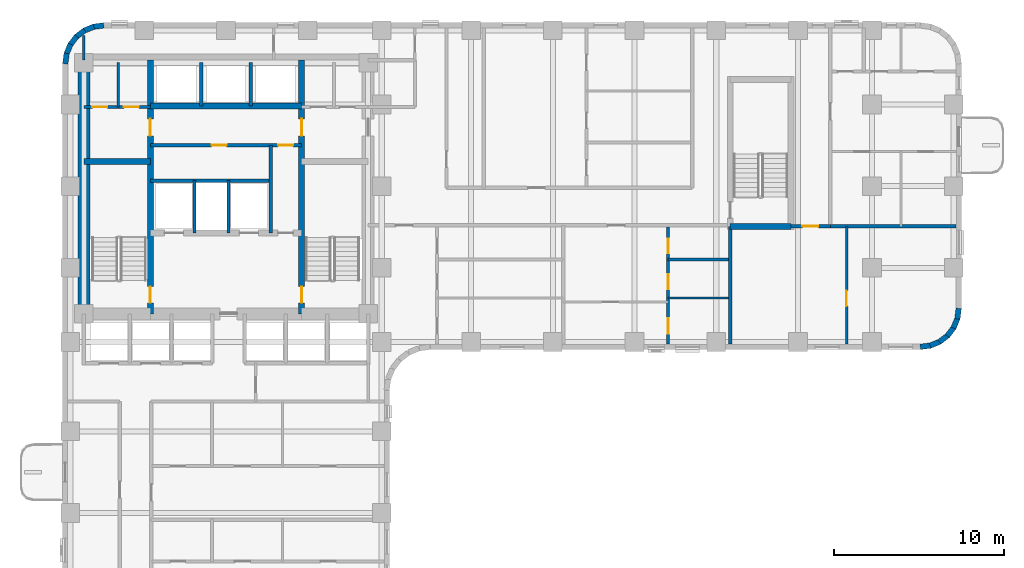
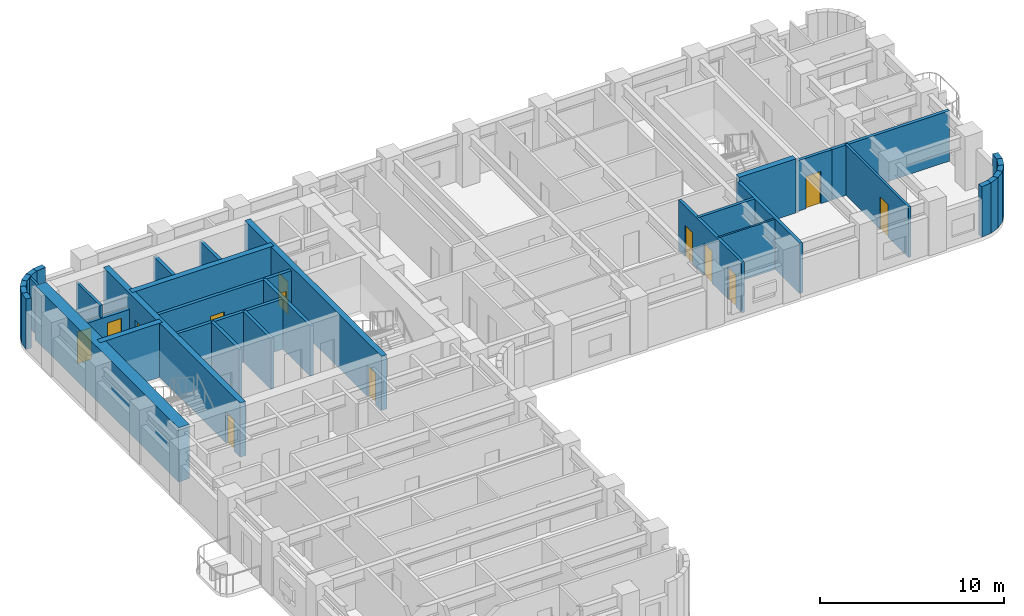
# One storey, part 5 of 10: 35 walls, 13 doors, 13 openings.
"""IFC4 building model written with IfcOpenShell, lengths in metres."""

from ifc_helpers import new_model, si_unit, direction, frame, frame_2d, origin, place, context, subcontext, project, spatial, rectangle, extrude, material, layer, layer_set, type_object, element, fill, save


model = new_model("IFC4")

# Units and contexts
model_context = context("Model", 3, precision=1e-05, world=origin(), true_north=direction((0.0, 1.0)))
body_context = subcontext(model_context, "Body", "Model", "MODEL_VIEW")
ifc_project = project(units=[si_unit("LENGTHUNIT", "METRE"), si_unit("AREAUNIT", "SQUARE_METRE"), si_unit("VOLUMEUNIT", "CUBIC_METRE"), si_unit("PLANEANGLEUNIT", "RADIAN"), si_unit("MASSUNIT", "GRAM", prefix="KILO")], contexts=[model_context])

# Site, building, storey
site_placement = place(None, origin())
site = spatial("IfcSite", under=ifc_project, at=site_placement, CompositionType="ELEMENT")
building_placement = place(site_placement, origin())
building = spatial("IfcBuilding", under=site, at=building_placement, Name="Orvandelia Arch Residences", CompositionType="ELEMENT")
storey_placement = place(building_placement, frame((0.0, 0.0, 75.39990234375)))
storey = spatial("IfcBuildingStorey", under=building, at=storey_placement, Name="L19", CompositionType="ELEMENT", Elevation=75.39990234375)

# Wall, openings, doors
ifc_material_1 = material(Name="Concrete C50/60", Category="concrete")
ifc_layer_1 = layer(ifc_material_1, 0.35009765625, Name="Concrete C50/60", Category="concrete")
ifc_layer_set_1 = layer_set([ifc_layer_1], Name="Concrete C50/60")
wall_type_1 = type_object("IfcWallType", Name="WL-CORE-350", PredefinedType="SHEAR", material=ifc_layer_set_1)
wall_1_placement = place(storey_placement, frame((9.9599609375, 30.89990234375, 0.0), z_axis=(0.0, 0.0, 1.0), x_axis=(0.0, 1.0, 0.0)))
wall_1 = element("IfcWall", 1, at=wall_1_placement, inside=storey, type_object=wall_type_1, Name="Core Shear Wall L19-WEB1", PredefinedType="SHEAR", context=body_context, shape_type="SweptSolid", body=[
    extrude(rectangle(XDim=14.900146484375, YDim=0.35009765625, at=frame_2d((7.4501953125, 0.0))), origin(), (0.0, 0.0, 1.0), 3.60009765625),
])
opening_1_placement = place(wall_1_placement, frame((0.64990234375, 0.0, 0.0)))
opening_1 = element("IfcOpeningElement", 2, at=opening_1_placement, cuts=wall_1, Name="Opening D7", PredefinedType="OPENING", context=body_context, shape_type="SweptSolid", body=[
    extrude(rectangle(XDim=0.949951171875, YDim=2.10009765625, at=frame_2d((0.47509765625, 1.050048828125))), frame((0.0, 0.18505859375, 0.0), z_axis=(0.0, -1.0, 0.0), x_axis=(1.0, 0.0, 0.0)), (0.0, 0.0, 1.0), 0.3701171875),
])
opening_2_placement = place(wall_1_placement, frame((10.449951171875, 0.0, 0.0)))
opening_2 = element("IfcOpeningElement", 3, at=opening_2_placement, cuts=wall_1, Name="Opening D6", PredefinedType="OPENING", context=body_context, shape_type="SweptSolid", body=[
    extrude(rectangle(XDim=1.0, YDim=2.14990234375, at=frame_2d((0.5, 1.074951171875))), frame((0.0, 0.18505859375, 0.0), z_axis=(0.0, -1.0, 0.0), x_axis=(1.0, 0.0, 0.0)), (0.0, 0.0, 1.0), 0.3701171875),
])
ifc_material_2 = material(Name="Smokeproof Painted Steel Fire Door", Category="steel")
door_type_1 = type_object("IfcDoorType", Name="DR-FD60-1000", OperationType="NOTDEFINED", PredefinedType="DOOR", material=ifc_material_2)
door_1_placement = place(opening_2_placement, origin())
door_1 = element("IfcDoor", 4, at=door_1_placement, inside=storey, type_object=door_type_1, Name="High-Rise Lift Hall West Vestibule Door L19", OperationType="SINGLE_SWING_LEFT", OverallHeight=2.14990234375, OverallWidth=1.0, PredefinedType="DOOR", context=body_context, shape_type="SweptSolid", body=[
    extrude(rectangle(XDim=1.0, YDim=2.14990234375, at=frame_2d((0.5, 1.074951171875))), frame((0.0, 0.02490234375, 0.0), z_axis=(0.0, -1.0, 0.0), x_axis=(1.0, 0.0, 0.0)), (0.0, 0.0, 1.0), 0.050048828125),
])
fill(opening_2, door_1)
ifc_material_3 = material(Name="Pressurised Stairwell Fire Door")
door_type_2 = type_object("IfcDoorType", Name="DR-STAIR-950", OperationType="NOTDEFINED", PredefinedType="DOOR", material=ifc_material_3)
door_2_placement = place(opening_1_placement, origin())
door_2 = element("IfcDoor", 5, at=door_2_placement, inside=storey, type_object=door_type_2, Name="Stairwell ST-1 Fire Door L19", OperationType="SINGLE_SWING_LEFT", OverallHeight=2.10009765625, OverallWidth=0.949951171875, PredefinedType="DOOR", context=body_context, shape_type="SweptSolid", body=[
    extrude(rectangle(XDim=0.949951171875, YDim=2.10009765625, at=frame_2d((0.47509765625, 1.050048828125))), frame((0.0, 0.02490234375, 0.0), z_axis=(0.0, -1.0, 0.0), x_axis=(1.0, 0.0, 0.0)), (0.0, 0.0, 1.0), 0.050048828125),
])
fill(opening_1, door_2)

wall_2_placement = place(storey_placement, frame((18.840087890625, 30.89990234375, 0.0), z_axis=(0.0, 0.0, 1.0), x_axis=(0.0, 1.0, 0.0)))
wall_2 = element("IfcWall", 6, at=wall_2_placement, inside=storey, type_object=wall_type_1, Name="Core Shear Wall L19-WEB2", PredefinedType="SHEAR", context=body_context, shape_type="SweptSolid", body=[
    extrude(rectangle(XDim=14.900146484375, YDim=0.35009765625, at=frame_2d((7.4501953125, 0.0))), origin(), (0.0, 0.0, 1.0), 3.60009765625),
])
opening_3_placement = place(wall_2_placement, frame((0.64990234375, 0.0, 0.0)))
opening_3 = element("IfcOpeningElement", 7, at=opening_3_placement, cuts=wall_2, Name="Opening D7", PredefinedType="OPENING", context=body_context, shape_type="SweptSolid", body=[
    extrude(rectangle(XDim=0.949951171875, YDim=2.10009765625, at=frame_2d((0.47509765625, 1.050048828125))), frame((0.0, 0.18505859375, 0.0), z_axis=(0.0, -1.0, 0.0), x_axis=(1.0, 0.0, 0.0)), (0.0, 0.0, 1.0), 0.3701171875),
])
opening_4_placement = place(wall_2_placement, frame((10.449951171875, 0.0, 0.0)))
opening_4 = element("IfcOpeningElement", 8, at=opening_4_placement, cuts=wall_2, Name="Opening D6", PredefinedType="OPENING", context=body_context, shape_type="SweptSolid", body=[
    extrude(rectangle(XDim=1.0, YDim=2.14990234375, at=frame_2d((0.5, 1.074951171875))), frame((0.0, 0.18505859375, 0.0), z_axis=(0.0, -1.0, 0.0), x_axis=(1.0, 0.0, 0.0)), (0.0, 0.0, 1.0), 0.3701171875),
])
door_3_placement = place(opening_4_placement, origin())
door_3 = element("IfcDoor", 9, at=door_3_placement, inside=storey, type_object=door_type_1, Name="High-Rise Lift Hall East Vestibule Door L19", OperationType="SINGLE_SWING_RIGHT", OverallHeight=2.14990234375, OverallWidth=1.0, PredefinedType="DOOR", context=body_context, shape_type="SweptSolid", body=[
    extrude(rectangle(XDim=1.0, YDim=2.14990234375, at=frame_2d((0.5, 1.074951171875))), frame((0.0, 0.02490234375, 0.0), z_axis=(0.0, -1.0, 0.0), x_axis=(1.0, 0.0, 0.0)), (0.0, 0.0, 1.0), 0.050048828125),
])
fill(opening_4, door_3)
door_4_placement = place(opening_3_placement, origin())
door_4 = element("IfcDoor", 10, at=door_4_placement, inside=storey, type_object=door_type_2, Name="Stairwell ST-2 Fire Door L19", OperationType="SINGLE_SWING_RIGHT", OverallHeight=2.10009765625, OverallWidth=0.949951171875, PredefinedType="DOOR", context=body_context, shape_type="SweptSolid", body=[
    extrude(rectangle(XDim=0.949951171875, YDim=2.10009765625, at=frame_2d((0.47509765625, 1.050048828125))), frame((0.0, 0.02490234375, 0.0), z_axis=(0.0, -1.0, 0.0), x_axis=(1.0, 0.0, 0.0)), (0.0, 0.0, 1.0), 0.050048828125),
])
fill(opening_3, door_4)

# Walls
wall_3_placement = place(storey_placement, frame((6.050048828125, 39.85009765625, 0.0), z_axis=(0.0, 0.0, 1.0), x_axis=(1.0, 0.0, 0.0)))
element("IfcWall", 11, at=wall_3_placement, inside=storey, type_object=wall_type_1, Name="Core Shear Wall L19-HZ1", PredefinedType="SHEAR", context=body_context, shape_type="SweptSolid", body=[
    extrude(rectangle(XDim=3.909912109375, YDim=0.35009765625, at=frame_2d((1.955078125, 0.0))), origin(), (0.0, 0.0, 1.0), 3.60009765625),
])
wall_4_placement = place(storey_placement, frame((9.9599609375, 43.10009765625, 0.0), z_axis=(0.0, 0.0, 1.0), x_axis=(1.0, 0.0, 0.0)))
element("IfcWall", 12, at=wall_4_placement, inside=storey, type_object=wall_type_1, Name="Core Shear Wall L19-HZ4", PredefinedType="SHEAR", context=body_context, shape_type="SweptSolid", body=[
    extrude(rectangle(XDim=8.880126953125, YDim=0.35009765625, at=frame_2d((4.43994140625, 0.0))), origin(), (0.0, 0.0, 1.0), 3.60009765625),
])
wall_5_placement = place(storey_placement, frame((44.02001953125, 36.0400390625, 0.0), z_axis=(0.0, 0.0, 1.0), x_axis=(1.0, 0.0, 0.0)))
element("IfcWall", 13, at=wall_5_placement, inside=storey, type_object=wall_type_1, Name="East Stair Core Shear Wall L19-S", PredefinedType="SHEAR", context=body_context, shape_type="SweptSolid", body=[
    extrude(rectangle(XDim=3.580078125, YDim=0.35009765625, at=frame_2d((1.7900390625, 0.0))), origin(), (0.0, 0.0, 1.0), 3.60009765625),
])
ifc_material_4 = material(Name="Concrete C80/95", Category="concrete")
ifc_layer_2 = layer(ifc_material_4, 0.699951171875, Name="Concrete C80/95", Category="concrete")
ifc_layer_set_2 = layer_set([ifc_layer_2], Name="Concrete C80/95")
wall_type_2 = type_object("IfcWallType", Name="WL-CORE-700", PredefinedType="SHEAR", material=ifc_layer_set_2)
wall_6_placement = place(storey_placement, frame((6.050048828125, 30.550048828125, 0.0), z_axis=(0.0, 0.0, 1.0), x_axis=(0.0, 1.0, 0.0)))
element("IfcWall", 14, at=wall_6_placement, inside=storey, type_object=wall_type_2, Name="Core Shear Wall L19-W", PredefinedType="SHEAR", context=body_context, shape_type="SweptSolid", body=[
    extrude(rectangle(XDim=15.599853515625, YDim=0.699951171875, at=frame_2d((7.7998046875, 0.0))), origin(), (0.0, 0.0, 1.0), 3.60009765625),
])

# Wall, opening, door
ifc_material_5 = material(Name="Fire-Rated Corridor Partition")
ifc_layer_3 = layer(ifc_material_5, 0.199951171875, Name="Fire-Rated Corridor Partition")
ifc_layer_set_3 = layer_set([ifc_layer_3], Name="Fire-Rated Corridor Partition")
wall_type_3 = type_object("IfcWallType", Name="WL-CORR-200", PredefinedType="PARTITIONING", material=ifc_layer_set_3)
wall_7_placement = place(storey_placement, frame((47.60009765625, 36.0400390625, 0.0), z_axis=(0.0, 0.0, 1.0), x_axis=(1.0, 0.0, 0.0)))
wall_7 = element("IfcWall", 15, at=wall_7_placement, inside=storey, type_object=wall_type_3, Name="Interior Partition Wall WL-L19-ETE-S", PredefinedType="PARTITIONING", context=body_context, shape_type="SweptSolid", body=[
    extrude(rectangle(XDim=2.2998046875, YDim=0.199951171875, at=frame_2d((1.14990234375, 0.0))), origin(), (0.0, 0.0, 1.0), 3.35009765625),
])
opening_5_placement = place(wall_7_placement, frame((0.64990234375, 0.0, 0.0)))
opening_5 = element("IfcOpeningElement", 16, at=opening_5_placement, cuts=wall_7, Name="Opening D2", PredefinedType="OPENING", context=body_context, shape_type="SweptSolid", body=[
    extrude(rectangle(XDim=0.949951171875, YDim=2.14990234375, at=frame_2d((0.47509765625, 1.074951171875))), frame((0.0, 0.10986328125, 0.0), z_axis=(0.0, -1.0, 0.0), x_axis=(1.0, 0.0, 0.0)), (0.0, 0.0, 1.0), 0.219970703125),
])
ifc_material_6 = material(Name="Solid-Core Timber Interior Fire Door", Category="wood")
door_type_3 = type_object("IfcDoorType", Name="DR-APT-950", OperationType="NOTDEFINED", PredefinedType="DOOR", material=ifc_material_6)
door_5_placement = place(opening_5_placement, origin())
door_5 = element("IfcDoor", 17, at=door_5_placement, inside=storey, type_object=door_type_3, Name="DR-L19-EMS3", OperationType="SINGLE_SWING_LEFT", OverallHeight=2.14990234375, OverallWidth=0.949951171875, PredefinedType="DOOR", context=body_context, shape_type="SweptSolid", body=[
    extrude(rectangle(XDim=0.949951171875, YDim=2.14990234375, at=frame_2d((0.47509765625, 1.074951171875))), frame((0.0, 0.02490234375, 0.0), z_axis=(0.0, -1.0, 0.0), x_axis=(1.0, 0.0, 0.0)), (0.0, 0.0, 1.0), 0.050048828125),
])
fill(opening_5, door_5)

# Walls
ifc_material_7 = material(Name="Concrete C40/50", Category="concrete")
ifc_layer_4 = layer(ifc_material_7, 0.199951171875, Name="Concrete C40/50", Category="concrete")
ifc_layer_set_4 = layer_set([ifc_layer_4], Name="Concrete C40/50")
wall_type_4 = type_object("IfcWallType", Name="WL-DEM-200", PredefinedType="SOLIDWALL", material=ifc_layer_set_4)
wall_8_placement = place(storey_placement, frame((44.02001953125, 29.1201171875, 0.0), z_axis=(0.0, 0.0, 1.0), x_axis=(0.0, 1.0, 0.0)))
element("IfcWall", 18, at=wall_8_placement, inside=storey, type_object=wall_type_4, Name="Interior Partition Wall WL-L19-EMS3-W", PredefinedType="SOLIDWALL", context=body_context, shape_type="SweptSolid", body=[
    extrude(rectangle(XDim=6.919921875, YDim=0.199951171875, at=frame_2d((3.4599609375, 0.0))), origin(), (0.0, 0.0, 1.0), 3.35009765625),
])
wall_9_placement = place(storey_placement, frame((49.89990234375, 36.0400390625, 0.0), z_axis=(0.0, 0.0, 1.0), x_axis=(1.0, 0.0, 0.0)))
element("IfcWall", 19, at=wall_9_placement, inside=storey, type_object=wall_type_4, Name="Interior Partition Wall WL-L19-EMS3-N2", PredefinedType="SOLIDWALL", context=body_context, shape_type="SweptSolid", body=[
    extrude(rectangle(XDim=7.380126953125, YDim=0.199951171875, at=frame_2d((3.68994140625, 0.0))), origin(), (0.0, 0.0, 1.0), 3.35009765625),
])
ifc_material_8 = material(Name="Precast concrete C40/50", Category="concrete")
ifc_layer_5 = layer(ifc_material_8, 0.320068359375, Name="Precast concrete C40/50", Category="concrete")
ifc_layer_set_5 = layer_set([ifc_layer_5], Name="Precast concrete C40/50")
wall_type_5 = type_object("IfcWallType", Name="WL-EXT-STONE-320", PredefinedType="STANDARD", material=ifc_layer_set_5)
for number, where, z_axis, x_axis, name in (
    (20, (4.95849609375, 45.5791015625, 0.0), (0.0, 0.0, 1.0), (0.130555323746, 0.9914410257, 0.0), "Coral-Limestone Precast Facade Wall L19-001"),
    (21, (5.029541015625, 46.159912109375, 0.0), (0.0, 0.0, 1.0), (0.382650053678, 0.92389335771, 0.0), "Coral-Limestone Precast Facade Wall L19-002"),
):
    element("IfcWall", number, at=place(storey_placement, frame(where, z_axis=z_axis, x_axis=x_axis)), inside=storey, type_object=wall_type_5, Name=name, PredefinedType="STANDARD", context=body_context, shape_type="SweptSolid", body=[
        extrude(rectangle(XDim=0.62646484375, YDim=0.320068359375, at=frame_2d((0.313232421875, 0.0))), origin(), (0.0, 0.0, 1.0), 3.35009765625),
    ])
wall_10_placement = place(storey_placement, frame((5.248291015625, 46.70263671875, 0.0), z_axis=(0.0, 0.0, 1.0), x_axis=(0.608938521285, 0.7932174212, 0.0)))
element("IfcWall", 22, at=wall_10_placement, inside=storey, type_object=wall_type_5, Name="Coral-Limestone Precast Facade Wall L19-003", PredefinedType="STANDARD", context=body_context, shape_type="SweptSolid", body=[
    extrude(rectangle(XDim=0.626708984375, YDim=0.320068359375, at=frame_2d((0.3134765625, 0.0))), origin(), (0.0, 0.0, 1.0), 3.35009765625),
])
wall_11_placement = place(storey_placement, frame((5.600341796875, 47.170166015625, 0.0), z_axis=(0.0, 0.0, 1.0), x_axis=(0.793405610854, 0.608693302629, 0.0)))
element("IfcWall", 23, at=wall_11_placement, inside=storey, type_object=wall_type_5, Name="Coral-Limestone Precast Facade Wall L19-004", PredefinedType="STANDARD", context=body_context, shape_type="SweptSolid", body=[
    extrude(rectangle(XDim=0.62646484375, YDim=0.320068359375, at=frame_2d((0.313232421875, 0.0))), origin(), (0.0, 0.0, 1.0), 3.35009765625),
])
wall_12_placement = place(storey_placement, frame((6.061279296875, 47.53076171875, 0.0), z_axis=(0.0, 0.0, 1.0), x_axis=(0.923836271867, 0.382787856107, 0.0)))
element("IfcWall", 24, at=wall_12_placement, inside=storey, type_object=wall_type_5, Name="Coral-Limestone Precast Facade Wall L19-005", PredefinedType="STANDARD", context=body_context, shape_type="SweptSolid", body=[
    extrude(rectangle(XDim=0.626220703125, YDim=0.320068359375, at=frame_2d((0.31298828125, 0.0))), origin(), (0.0, 0.0, 1.0), 3.35009765625),
])
for number, where, z_axis, x_axis, name in (
    (25, (6.599609375, 47.759521484375, 0.0), (0.0, 0.0, 1.0), (0.991447664465, 0.130504898859, 0.0), "Coral-Limestone Precast Facade Wall L19-006"),
    (26, (57.44140625, 31.220947265625, 0.0), (0.0, 0.0, 1.0), (-0.130504898859, -0.991447664465, 0.0), "Coral-Limestone Precast Facade Wall L19-015"),
):
    element("IfcWall", number, at=place(storey_placement, frame(where, z_axis=z_axis, x_axis=x_axis)), inside=storey, type_object=wall_type_5, Name=name, PredefinedType="STANDARD", context=body_context, shape_type="SweptSolid", body=[
        extrude(rectangle(XDim=0.626708984375, YDim=0.320068359375, at=frame_2d((0.3134765625, 0.0))), origin(), (0.0, 0.0, 1.0), 3.35009765625),
    ])
wall_13_placement = place(storey_placement, frame((57.370361328125, 30.639892578125, 0.0), z_axis=(0.0, 0.0, 1.0), x_axis=(-0.382787856107, -0.923836271867, 0.0)))
element("IfcWall", 27, at=wall_13_placement, inside=storey, type_object=wall_type_5, Name="Coral-Limestone Precast Facade Wall L19-016", PredefinedType="STANDARD", context=body_context, shape_type="SweptSolid", body=[
    extrude(rectangle(XDim=0.626220703125, YDim=0.320068359375, at=frame_2d((0.31298828125, 0.0))), origin(), (0.0, 0.0, 1.0), 3.35009765625),
])
wall_14_placement = place(storey_placement, frame((57.151611328125, 30.097412109375, 0.0), z_axis=(0.0, 0.0, 1.0), x_axis=(-0.608693302629, -0.793405610854, 0.0)))
element("IfcWall", 28, at=wall_14_placement, inside=storey, type_object=wall_type_5, Name="Coral-Limestone Precast Facade Wall L19-017", PredefinedType="STANDARD", context=body_context, shape_type="SweptSolid", body=[
    extrude(rectangle(XDim=0.62646484375, YDim=0.320068359375, at=frame_2d((0.313232421875, 0.0))), origin(), (0.0, 0.0, 1.0), 3.35009765625),
])
wall_15_placement = place(storey_placement, frame((56.7998046875, 29.6298828125, 0.0), z_axis=(0.0, 0.0, 1.0), x_axis=(-0.793361818833, -0.608750379399, 0.0)))
element("IfcWall", 29, at=wall_15_placement, inside=storey, type_object=wall_type_5, Name="Coral-Limestone Precast Facade Wall L19-018", PredefinedType="STANDARD", context=body_context, shape_type="SweptSolid", body=[
    extrude(rectangle(XDim=0.626953125, YDim=0.320068359375, at=frame_2d((0.3134765625, 0.0))), origin(), (0.0, 0.0, 1.0), 3.35009765625),
])
for number, where, z_axis, x_axis, name in (
    (30, (56.3388671875, 29.269287109375, 0.0), (0.0, 0.0, 1.0), (-0.92389335771, -0.382650053678, 0.0), "Coral-Limestone Precast Facade Wall L19-019"),
    (31, (55.80029296875, 29.040283203125, 0.0), (0.0, 0.0, 1.0), (-0.9914410257, -0.130555323746, 0.0), "Coral-Limestone Precast Facade Wall L19-020"),
):
    element("IfcWall", number, at=place(storey_placement, frame(where, z_axis=z_axis, x_axis=x_axis)), inside=storey, type_object=wall_type_5, Name=name, PredefinedType="STANDARD", context=body_context, shape_type="SweptSolid", body=[
        extrude(rectangle(XDim=0.62646484375, YDim=0.320068359375, at=frame_2d((0.313232421875, 0.0))), origin(), (0.0, 0.0, 1.0), 3.35009765625),
    ])
ifc_material_9 = material(Name="Lightweight Gypsum Stud Partition")
ifc_layer_6 = layer(ifc_material_9, 0.1201171875, Name="Lightweight Gypsum Stud Partition")
ifc_layer_set_6 = layer_set([ifc_layer_6], Name="Lightweight Gypsum Stud Partition")
wall_type_6 = type_object("IfcWallType", Name="WL-PART-120", PredefinedType="PARTITIONING", material=ifc_layer_set_6)
wall_16_placement = place(storey_placement, frame((40.368896484375, 31.8359375, 0.0), z_axis=(0.0, 0.0, 1.0), x_axis=(1.0, 0.0, 0.0)))
element("IfcWall", 32, at=wall_16_placement, inside=storey, type_object=wall_type_6, Name="Interior Partition Wall WL-L19-U05-H1", PredefinedType="PARTITIONING", context=body_context, shape_type="SweptSolid", body=[
    extrude(rectangle(XDim=3.551025390625, YDim=0.1201171875, at=frame_2d((1.775390625, 0.0))), origin(), (0.0, 0.0, 1.0), 3.35009765625),
])
ifc_material_10 = material(Name="Acoustic Gypsum Stud Partition")
ifc_layer_7 = layer(ifc_material_10, 0.14990234375, Name="Acoustic Gypsum Stud Partition")
ifc_layer_set_7 = layer_set([ifc_layer_7], Name="Acoustic Gypsum Stud Partition")
wall_type_7 = type_object("IfcWallType", Name="WL-PART-150", PredefinedType="PARTITIONING", material=ifc_layer_set_7)
wall_17_placement = place(storey_placement, frame((8.06005859375, 43.050048828125, 0.0), z_axis=(0.0, 0.0, 1.0), x_axis=(0.0, 1.0, 0.0)))
element("IfcWall", 33, at=wall_17_placement, inside=storey, type_object=wall_type_7, Name="Interior Partition Wall WL-L19-CRELC-M", PredefinedType="PARTITIONING", context=body_context, shape_type="SweptSolid", body=[
    extrude(rectangle(XDim=2.599853515625, YDim=0.14990234375, at=frame_2d((1.2998046875, 0.0))), origin(), (0.0, 0.0, 1.0), 3.35009765625),
])
wall_18_placement = place(storey_placement, frame((6.050048828125, 45.800048828125, 0.0), z_axis=(0.0, 0.0, 1.0), x_axis=(0.0, 1.0, 0.0)))
element("IfcWall", 34, at=wall_18_placement, inside=storey, type_object=wall_type_7, Name="Interior Partition Wall WL-L19-NC-W6", PredefinedType="PARTITIONING", context=body_context, shape_type="SweptSolid", body=[
    extrude(rectangle(XDim=1.4599609375, YDim=0.14990234375, at=frame_2d((0.72998046875, 0.0))), origin(), (0.0, 0.0, 1.0), 3.35009765625),
])

# Wall, opening, door
wall_19_placement = place(storey_placement, frame((50.85009765625, 29.1201171875, 0.0), z_axis=(0.0, 0.0, 1.0), x_axis=(0.0, 1.0, 0.0)))
wall_19 = element("IfcWall", 35, at=wall_19_placement, inside=storey, type_object=wall_type_7, Name="Interior Partition Wall WL-L19-EMS3-M", PredefinedType="PARTITIONING", context=body_context, shape_type="SweptSolid", body=[
    extrude(rectangle(XDim=6.919921875, YDim=0.14990234375, at=frame_2d((3.4599609375, 0.0))), origin(), (0.0, 0.0, 1.0), 3.35009765625),
])
opening_6_placement = place(wall_19_placement, frame((2.239990234375, 0.0, 0.0)))
opening_6 = element("IfcOpeningElement", 36, at=opening_6_placement, cuts=wall_19, Name="Opening D3", PredefinedType="OPENING", context=body_context, shape_type="SweptSolid", body=[
    extrude(rectangle(XDim=0.89990234375, YDim=2.14990234375, at=frame_2d((0.449951171875, 1.074951171875))), frame((0.0, 0.0849609375, 0.0), z_axis=(0.0, -1.0, 0.0), x_axis=(1.0, 0.0, 0.0)), (0.0, 0.0, 1.0), 0.169921875),
])
ifc_material_11 = material(Name="Engineered Timber Flush Door", Category="wood")
door_type_4 = type_object("IfcDoorType", Name="DR-INT-900", OperationType="NOTDEFINED", PredefinedType="DOOR", material=ifc_material_11)
door_6_placement = place(opening_6_placement, origin())
door_6 = element("IfcDoor", 37, at=door_6_placement, inside=storey, type_object=door_type_4, Name="DR-L19-EMS3M", OperationType="SINGLE_SWING_RIGHT", OverallHeight=2.14990234375, OverallWidth=0.89990234375, PredefinedType="DOOR", context=body_context, shape_type="SweptSolid", body=[
    extrude(rectangle(XDim=0.89990234375, YDim=2.14990234375, at=frame_2d((0.449951171875, 1.074951171875))), frame((0.0, 0.02490234375, 0.0), z_axis=(0.0, -1.0, 0.0), x_axis=(1.0, 0.0, 0.0)), (0.0, 0.0, 1.0), 0.050048828125),
])
fill(opening_6, door_6)

# Walls
ifc_material_12 = material(Name="Fire-Rated Shaft Enclosure Wall")
ifc_layer_8 = layer(ifc_material_12, 0.199951171875, Name="Fire-Rated Shaft Enclosure Wall")
ifc_layer_set_8 = layer_set([ifc_layer_8], Name="Fire-Rated Shaft Enclosure Wall")
wall_type_8 = type_object("IfcWallType", Name="WL-SHAFT-200", PredefinedType="POLYGONAL", material=ifc_layer_set_8)
wall_20_placement = place(storey_placement, frame((9.9599609375, 38.719970703125, 0.0), z_axis=(0.0, 0.0, 1.0), x_axis=(1.0, 0.0, 0.0)))
element("IfcWall", 38, at=wall_20_placement, inside=storey, type_object=wall_type_8, Name="Interior Partition Wall WL-L19-FLN", PredefinedType="POLYGONAL", context=body_context, shape_type="SweptSolid", body=[
    extrude(rectangle(XDim=7.06005859375, YDim=0.199951171875, at=frame_2d((3.530029296875, 0.0))), origin(), (0.0, 0.0, 1.0), 3.35009765625),
])
for number, where, z_axis, x_axis, name in (
    (39, (12.550048828125, 35.64990234375, 0.0), (0.0, 0.0, 1.0), (0.0, 1.0, 0.0), "Interior Partition Wall WL-L19-FLM1"),
    (40, (14.550048828125, 35.64990234375, 0.0), (0.0, 0.0, 1.0), (0.0, 1.0, 0.0), "Interior Partition Wall WL-L19-FLM2"),
):
    element("IfcWall", number, at=place(storey_placement, frame(where, z_axis=z_axis, x_axis=x_axis)), inside=storey, type_object=wall_type_8, Name=name, PredefinedType="POLYGONAL", context=body_context, shape_type="SweptSolid", body=[
        extrude(rectangle(XDim=3.070068359375, YDim=0.199951171875, at=frame_2d((1.53515625, 0.0))), origin(), (0.0, 0.0, 1.0), 3.35009765625),
    ])
wall_21_placement = place(storey_placement, frame((17.02001953125, 35.64990234375, 0.0), z_axis=(0.0, 0.0, 1.0), x_axis=(0.0, 1.0, 0.0)))
element("IfcWall", 41, at=wall_21_placement, inside=storey, type_object=wall_type_8, Name="Interior Partition Wall WL-L19-FLM3", PredefinedType="POLYGONAL", context=body_context, shape_type="SweptSolid", body=[
    extrude(rectangle(XDim=5.150146484375, YDim=0.199951171875, at=frame_2d((2.5751953125, 0.0))), origin(), (0.0, 0.0, 1.0), 3.35009765625),
])

# Wall, openings, doors
wall_22_placement = place(storey_placement, frame((9.9599609375, 40.800048828125, 0.0), z_axis=(0.0, 0.0, 1.0), x_axis=(1.0, 0.0, 0.0)))
wall_22 = element("IfcWall", 42, at=wall_22_placement, inside=storey, type_object=wall_type_8, Name="Interior Partition Wall WL-L19-HLH-S", PredefinedType="POLYGONAL", context=body_context, shape_type="SweptSolid", body=[
    extrude(rectangle(XDim=8.880126953125, YDim=0.199951171875, at=frame_2d((4.43994140625, 0.0))), origin(), (0.0, 0.0, 1.0), 3.35009765625),
])
opening_7_placement = place(wall_22_placement, frame((7.5, 0.0, 0.0)))
opening_7 = element("IfcOpeningElement", 43, at=opening_7_placement, cuts=wall_22, Name="Opening D5", PredefinedType="OPENING", context=body_context, shape_type="SweptSolid", body=[
    extrude(rectangle(XDim=0.8798828125, YDim=2.10009765625, at=frame_2d((0.43994140625, 1.050048828125))), frame((0.0, 0.10986328125, 0.0), z_axis=(0.0, -1.0, 0.0), x_axis=(1.0, 0.0, 0.0)), (0.0, 0.0, 1.0), 0.219970703125),
])
opening_8_placement = place(wall_22_placement, frame((3.60009765625, 0.0, 0.0)))
opening_8 = element("IfcOpeningElement", 44, at=opening_8_placement, cuts=wall_22, Name="Opening D5", PredefinedType="OPENING", context=body_context, shape_type="SweptSolid", body=[
    extrude(rectangle(XDim=0.8798828125, YDim=2.10009765625, at=frame_2d((0.43994140625, 1.050048828125))), frame((0.0, 0.10986328125, 0.0), z_axis=(0.0, -1.0, 0.0), x_axis=(1.0, 0.0, 0.0)), (0.0, 0.0, 1.0), 0.219970703125),
])
ifc_material_13 = material(Name="Painted Galvanised Steel Service Door", Category="steel")
door_type_5 = type_object("IfcDoorType", Name="DR-SRV-880", OperationType="NOTDEFINED", PredefinedType="DOOR", material=ifc_material_13)
door_7_placement = place(opening_7_placement, origin())
door_7 = element("IfcDoor", 45, at=door_7_placement, inside=storey, type_object=door_type_5, Name="Core Stairway Passage North Fire Door L19", OperationType="SINGLE_SWING_RIGHT", OverallHeight=2.10009765625, OverallWidth=0.8798828125, PredefinedType="DOOR", context=body_context, shape_type="SweptSolid", body=[
    extrude(rectangle(XDim=0.8798828125, YDim=2.10009765625, at=frame_2d((0.43994140625, 1.050048828125))), frame((0.0, 0.02490234375, 0.0), z_axis=(0.0, -1.0, 0.0), x_axis=(1.0, 0.0, 0.0)), (0.0, 0.0, 1.0), 0.050048828125),
])
fill(opening_7, door_7)
door_8_placement = place(opening_8_placement, origin())
door_8 = element("IfcDoor", 46, at=door_8_placement, inside=storey, type_object=door_type_5, Name="DR-L19-CSA1", OperationType="SINGLE_SWING_LEFT", OverallHeight=2.10009765625, OverallWidth=0.8798828125, PredefinedType="DOOR", context=body_context, shape_type="SweptSolid", body=[
    extrude(rectangle(XDim=0.8798828125, YDim=2.10009765625, at=frame_2d((0.43994140625, 1.050048828125))), frame((0.0, 0.02490234375, 0.0), z_axis=(0.0, -1.0, 0.0), x_axis=(1.0, 0.0, 0.0)), (0.0, 0.0, 1.0), 0.050048828125),
])
fill(opening_8, door_8)

wall_23_placement = place(storey_placement, frame((6.050048828125, 43.050048828125, 0.0), z_axis=(0.0, 0.0, 1.0), x_axis=(1.0, 0.0, 0.0)))
wall_23 = element("IfcWall", 47, at=wall_23_placement, inside=storey, type_object=wall_type_8, Name="Interior Partition Wall WL-L19-HLW-N", PredefinedType="POLYGONAL", context=body_context, shape_type="SweptSolid", body=[
    extrude(rectangle(XDim=3.909912109375, YDim=0.199951171875, at=frame_2d((1.955078125, 0.0))), origin(), (0.0, 0.0, 1.0), 2.530029296875),
])
opening_9_placement = place(wall_23_placement, frame((0.5, 0.0, 0.0)))
opening_9 = element("IfcOpeningElement", 48, at=opening_9_placement, cuts=wall_23, Name="Opening D5", PredefinedType="OPENING", context=body_context, shape_type="SweptSolid", body=[
    extrude(rectangle(XDim=0.8798828125, YDim=2.10009765625, at=frame_2d((0.43994140625, 1.050048828125))), frame((0.0, 0.10986328125, 0.0), z_axis=(0.0, -1.0, 0.0), x_axis=(1.0, 0.0, 0.0)), (0.0, 0.0, 1.0), 0.219970703125),
])
opening_10_placement = place(wall_23_placement, frame((2.35009765625, 0.0, 0.0)))
opening_10 = element("IfcOpeningElement", 49, at=opening_10_placement, cuts=wall_23, Name="Opening D5", PredefinedType="OPENING", context=body_context, shape_type="SweptSolid", body=[
    extrude(rectangle(XDim=0.8798828125, YDim=2.10009765625, at=frame_2d((0.43994140625, 1.050048828125))), frame((0.0, 0.10986328125, 0.0), z_axis=(0.0, -1.0, 0.0), x_axis=(1.0, 0.0, 0.0)), (0.0, 0.0, 1.0), 0.219970703125),
])
door_9_placement = place(opening_9_placement, origin())
door_9 = element("IfcDoor", 50, at=door_9_placement, inside=storey, type_object=door_type_5, Name="DR-L19-CRELC1", OperationType="SINGLE_SWING_LEFT", OverallHeight=2.10009765625, OverallWidth=0.8798828125, PredefinedType="DOOR", context=body_context, shape_type="SweptSolid", body=[
    extrude(rectangle(XDim=0.8798828125, YDim=2.10009765625, at=frame_2d((0.43994140625, 1.050048828125))), frame((0.0, 0.02490234375, 0.0), z_axis=(0.0, -1.0, 0.0), x_axis=(1.0, 0.0, 0.0)), (0.0, 0.0, 1.0), 0.050048828125),
])
fill(opening_9, door_9)
door_10_placement = place(opening_10_placement, origin())
door_10 = element("IfcDoor", 51, at=door_10_placement, inside=storey, type_object=door_type_5, Name="DR-L19-CRELC2", OperationType="SINGLE_SWING_RIGHT", OverallHeight=2.10009765625, OverallWidth=0.8798828125, PredefinedType="DOOR", context=body_context, shape_type="SweptSolid", body=[
    extrude(rectangle(XDim=0.8798828125, YDim=2.10009765625, at=frame_2d((0.43994140625, 1.050048828125))), frame((0.0, 0.02490234375, 0.0), z_axis=(0.0, -1.0, 0.0), x_axis=(1.0, 0.0, 0.0)), (0.0, 0.0, 1.0), 0.050048828125),
])
fill(opening_10, door_10)

# Walls
for number, where, z_axis, x_axis, name in (
    (52, (12.949951171875, 43.10009765625, 0.0), (0.0, 0.0, 1.0), (0.0, 1.0, 0.0), "Interior Partition Wall WL-L19-PHD1"),
    (53, (15.85009765625, 43.10009765625, 0.0), (0.0, 0.0, 1.0), (0.0, 1.0, 0.0), "Interior Partition Wall WL-L19-PHD2"),
):
    element("IfcWall", number, at=place(storey_placement, frame(where, z_axis=z_axis, x_axis=x_axis)), inside=storey, type_object=wall_type_8, Name=name, PredefinedType="POLYGONAL", context=body_context, shape_type="SweptSolid", body=[
        extrude(rectangle(XDim=2.5498046875, YDim=0.199951171875, at=frame_2d((1.27490234375, 0.0))), origin(), (0.0, 0.0, 1.0), 3.35009765625),
    ])

# Wall, openings, doors
ifc_material_14 = material(Name="Moisture-Resistant Plumbing Wall")
ifc_layer_9 = layer(ifc_material_14, 0.179931640625, Name="Moisture-Resistant Plumbing Wall")
ifc_layer_set_9 = layer_set([ifc_layer_9], Name="Moisture-Resistant Plumbing Wall")
wall_type_9 = type_object("IfcWallType", Name="WL-WET-180", PredefinedType="PLUMBINGWALL", material=ifc_layer_set_9)
wall_24_placement = place(storey_placement, frame((40.368896484375, 29.1201171875, 0.0), z_axis=(0.0, 0.0, 1.0), x_axis=(0.0, 1.0, 0.0)))
wall_24 = element("IfcWall", 54, at=wall_24_placement, inside=storey, type_object=wall_type_9, Name="Interior Partition Wall WL-L19-U05-VT", PredefinedType="PLUMBINGWALL", context=body_context, shape_type="SweptSolid", body=[
    extrude(rectangle(XDim=6.8798828125, YDim=0.179931640625, at=frame_2d((3.43994140625, 0.0))), origin(), (0.0, 0.0, 1.0), 3.35009765625),
])
opening_11_placement = place(wall_24_placement, frame((0.61669921875, 0.0, 0.0)))
opening_11 = element("IfcOpeningElement", 55, at=opening_11_placement, cuts=wall_24, Name="Opening D3", PredefinedType="OPENING", context=body_context, shape_type="SweptSolid", body=[
    extrude(rectangle(XDim=0.89990234375, YDim=2.14990234375, at=frame_2d((0.449951171875, 1.074951171875))), frame((0.0, 0.10009765625, 0.0), z_axis=(0.0, -1.0, 0.0), x_axis=(1.0, 0.0, 0.0)), (0.0, 0.0, 1.0), 0.199951171875),
])
opening_12_placement = place(wall_24_placement, frame((3.21044921875, 0.0, 0.0)))
opening_12 = element("IfcOpeningElement", 56, at=opening_12_placement, cuts=wall_24, Name="Opening D3", PredefinedType="OPENING", context=body_context, shape_type="SweptSolid", body=[
    extrude(rectangle(XDim=0.89990234375, YDim=2.14990234375, at=frame_2d((0.449951171875, 1.074951171875))), frame((0.0, 0.10009765625, 0.0), z_axis=(0.0, -1.0, 0.0), x_axis=(1.0, 0.0, 0.0)), (0.0, 0.0, 1.0), 0.199951171875),
])
opening_13_placement = place(wall_24_placement, frame((5.331787109375, 0.0, 0.0)))
opening_13 = element("IfcOpeningElement", 57, at=opening_13_placement, cuts=wall_24, Name="Opening D4", PredefinedType="OPENING", context=body_context, shape_type="SweptSolid", body=[
    extrude(rectangle(XDim=0.860107421875, YDim=2.10009765625, at=frame_2d((0.43017578125, 1.050048828125))), frame((0.0, 0.10009765625, 0.0), z_axis=(0.0, -1.0, 0.0), x_axis=(1.0, 0.0, 0.0)), (0.0, 0.0, 1.0), 0.199951171875),
])
door_11_placement = place(opening_11_placement, origin())
door_11 = element("IfcDoor", 58, at=door_11_placement, inside=storey, type_object=door_type_4, Name="DR-L19-U05-BD1", OperationType="SINGLE_SWING_LEFT", OverallHeight=2.14990234375, OverallWidth=0.89990234375, PredefinedType="DOOR", context=body_context, shape_type="SweptSolid", body=[
    extrude(rectangle(XDim=0.89990234375, YDim=2.14990234375, at=frame_2d((0.449951171875, 1.074951171875))), frame((0.0, 0.02490234375, 0.0), z_axis=(0.0, -1.0, 0.0), x_axis=(1.0, 0.0, 0.0)), (0.0, 0.0, 1.0), 0.050048828125),
])
fill(opening_11, door_11)
door_12_placement = place(opening_12_placement, origin())
door_12 = element("IfcDoor", 59, at=door_12_placement, inside=storey, type_object=door_type_4, Name="DR-L19-U05-KIT", OperationType="SINGLE_SWING_RIGHT", OverallHeight=2.14990234375, OverallWidth=0.89990234375, PredefinedType="DOOR", context=body_context, shape_type="SweptSolid", body=[
    extrude(rectangle(XDim=0.89990234375, YDim=2.14990234375, at=frame_2d((0.449951171875, 1.074951171875))), frame((0.0, 0.02490234375, 0.0), z_axis=(0.0, -1.0, 0.0), x_axis=(1.0, 0.0, 0.0)), (0.0, 0.0, 1.0), 0.050048828125),
])
fill(opening_12, door_12)
ifc_material_15 = material(Name="Moisture-Sealed Timber Bathroom Door", Category="wood")
door_type_6 = type_object("IfcDoorType", Name="DR-WET-900", OperationType="NOTDEFINED", PredefinedType="DOOR", material=ifc_material_15)
door_13_placement = place(opening_13_placement, origin())
door_13 = element("IfcDoor", 60, at=door_13_placement, inside=storey, type_object=door_type_6, Name="DR-L19-U05-BTH", OperationType="SINGLE_SWING_LEFT", OverallHeight=2.10009765625, OverallWidth=0.860107421875, PredefinedType="DOOR", context=body_context, shape_type="SweptSolid", body=[
    extrude(rectangle(XDim=0.860107421875, YDim=2.10009765625, at=frame_2d((0.43017578125, 1.050048828125))), frame((0.0, 0.02490234375, 0.0), z_axis=(0.0, -1.0, 0.0), x_axis=(1.0, 0.0, 0.0)), (0.0, 0.0, 1.0), 0.050048828125),
])
fill(opening_13, door_13)

# Wall
wall_25_placement = place(storey_placement, frame((40.368896484375, 34.0849609375, 0.0), z_axis=(0.0, 0.0, 1.0), x_axis=(1.0, 0.0, 0.0)))
element("IfcWall", 61, at=wall_25_placement, inside=storey, type_object=wall_type_9, Name="Interior Partition Wall WL-L19-U05-H2", PredefinedType="PLUMBINGWALL", context=body_context, shape_type="SweptSolid", body=[
    extrude(rectangle(XDim=3.551025390625, YDim=0.179931640625, at=frame_2d((1.775390625, 0.0))), origin(), (0.0, 0.0, 1.0), 3.35009765625),
])

save(model, "model.ifc")
